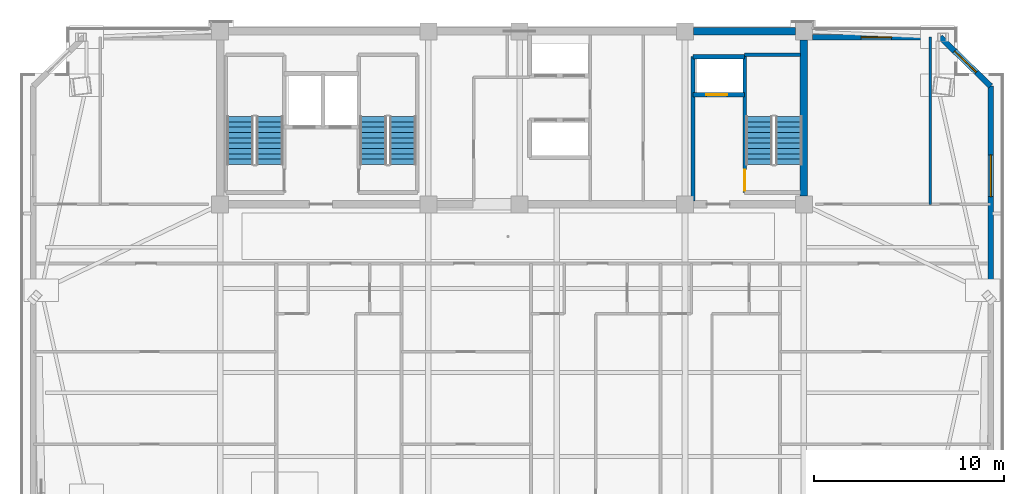
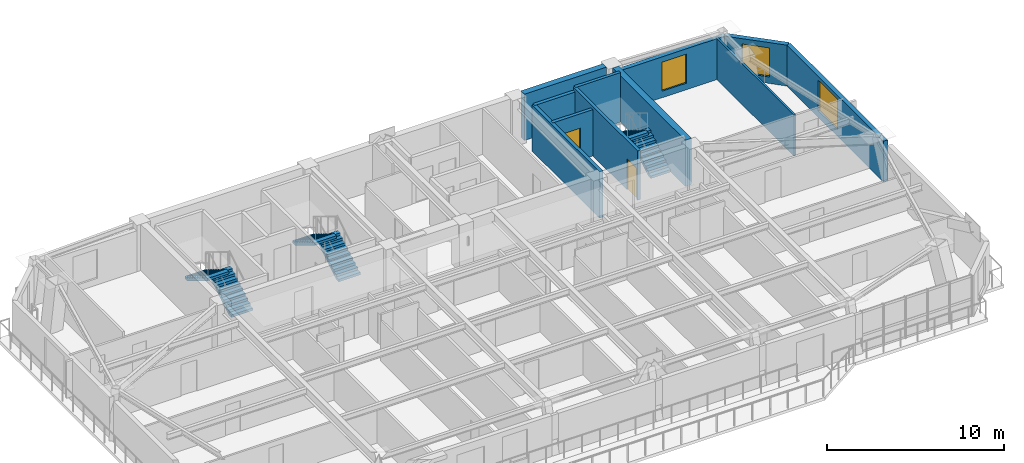
# One storey, part 10 of 15: 11 walls, 6 stair flights, 3 windows, 2 doors, 5 openings, 3 elements without a shape of their own.
"""IFC4 building model written with IfcOpenShell, lengths in metres."""

from ifc_helpers import new_model, si_unit, direction, frame, frame_2d, origin, place, context, subcontext, project, spatial, polyline, rectangle, outline, extrude, source, transform, mapped, material, layer, layer_set, type_object, element, fill, aggregate, save


model = new_model("IFC4")

# Units and contexts
model_context = context("Model", 3, precision=1e-05, world=origin(), true_north=direction((0.0, 1.0)))
body_context = subcontext(model_context, "Body", "Model", "MODEL_VIEW")
ifc_project = project(units=[si_unit("LENGTHUNIT", "METRE"), si_unit("AREAUNIT", "SQUARE_METRE"), si_unit("VOLUMEUNIT", "CUBIC_METRE"), si_unit("PLANEANGLEUNIT", "RADIAN"), si_unit("MASSUNIT", "GRAM", prefix="KILO")], contexts=[model_context])

# Site, building, storey
site_placement = place(None, origin())
site = spatial("IfcSite", under=ifc_project, at=site_placement, CompositionType="ELEMENT")
building_placement = place(site_placement, origin())
building = spatial("IfcBuilding", under=site, at=building_placement, Name="Giltprow Tower", CompositionType="ELEMENT")
storey_placement = place(building_placement, frame((0.0, 0.0, 300.60009765625)))
storey = spatial("IfcBuildingStorey", under=building, at=storey_placement, Name="L77", CompositionType="ELEMENT", Elevation=300.60009765625)

# Wall, opening, window
ifc_material_1 = material(Name="Precast concrete C40", Category="concrete")
ifc_layer_1 = layer(ifc_material_1, 0.300048828125, Name="Precast concrete C40")
ifc_layer_set_1 = layer_set([ifc_layer_1], Name="Precast concrete C40")
wall_type_1 = type_object("IfcWallType", Name="EW-NOTCH-CHAMFER-300", PredefinedType="SOLIDWALL", material=ifc_layer_set_1)
wall_1_placement = place(storey_placement, frame((60.3759765625, 43.6689453125, 0.0), z_axis=(0.0, 0.0, 1.0), x_axis=(-0.717153230711, 0.696915521194, 0.0)))
wall_1 = element("IfcWall", 1, at=wall_1_placement, inside=storey, type_object=wall_type_1, Name="L77 Corner Notch Wall NE", PredefinedType="SOLIDWALL", context=body_context, shape_type="SweptSolid", body=[
    extrude(rectangle(XDim=3.70361328125, YDim=0.300048828125, at=frame_2d((1.851806640625, 0.0))), origin(), (0.0, 0.0, 1.0), 2.81494140625),
])
opening_1_placement = place(wall_1_placement, frame((1.052001953125, 0.0, 0.449951171875)))
opening_1 = element("IfcOpeningElement", 2, at=opening_1_placement, cuts=wall_1, Name="Opening WN17", PredefinedType="OPENING", context=body_context, shape_type="SweptSolid", body=[
    extrude(rectangle(XDim=1.60009765625, YDim=2.0, at=frame_2d((0.800048828125, 1.0))), frame((0.0, 0.159912109375, 0.0), z_axis=(0.0, -1.0, 0.0), x_axis=(1.0, 0.0, 0.0)), (0.0, 0.0, 1.0), 0.320068359375),
])
ifc_material_2 = material(Name="Insulated glass", Category="glass")
window_type_1 = type_object("IfcWindowType", Name="WN-COR-1600x2000", PartitioningType="SINGLE_PANEL", PredefinedType="WINDOW", material=ifc_material_2)
shared_shape_1 = source(origin(), body_context, "Body", "SweptSolid", [
    extrude(rectangle(XDim=1.60009765625, YDim=2.0, at=frame_2d((0.800048828125, 1.0))), frame((0.0, 0.030029296875, 0.0), z_axis=(0.0, -1.0, 0.0), x_axis=(1.0, 0.0, 0.0)), (0.0, 0.0, 1.0), 0.06005859375),
])
window_1_placement = place(opening_1_placement, origin())
window_1 = element("IfcWindow", 3, at=window_1_placement, inside=storey, type_object=window_type_1, Name="L77 Corner Notch Window NE", OverallHeight=2.0, OverallWidth=1.60009765625, PartitioningType="SINGLE_PANEL", PredefinedType="WINDOW", context=body_context, shape_type="MappedRepresentation", body=[
    mapped(shared_shape_1, transform((0.0, 0.0, 0.0), x_axis=(1.0, 0.0, 0.0), y_axis=(0.0, 1.0, 0.0), z_axis=(0.0, 0.0, 1.0), scale=1.0)),
])
fill(opening_1, window_1)

ifc_layer_2 = layer(ifc_material_1, 0.280029296875, Name="Precast concrete C40")
ifc_layer_set_2 = layer_set([ifc_layer_2], Name="Precast concrete C40")
wall_type_2 = type_object("IfcWallType", Name="EW-TOW-BRONZE-280", PredefinedType="SOLIDWALL", material=ifc_layer_set_2)
wall_2_placement = place(storey_placement, frame((60.3759765625, 32.696044921875, 0.0), z_axis=(0.0, 0.0, 1.0), x_axis=(0.0, 1.0, 0.0)))
wall_2 = element("IfcWall", 4, at=wall_2_placement, inside=storey, type_object=wall_type_2, Name="L77 E Wing Masonry Wall 2", PredefinedType="SOLIDWALL", context=body_context, shape_type="SweptSolid", body=[
    extrude(rectangle(XDim=10.972900390625, YDim=0.280029296875, at=frame_2d((5.486328125, 0.0))), origin(), (0.0, 0.0, 1.0), 2.81494140625),
])
opening_2_placement = place(wall_2_placement, frame((5.158935546875, 0.0, 0.449951171875)))
opening_2 = element("IfcOpeningElement", 5, at=opening_2_placement, cuts=wall_2, Name="Opening WN27", PredefinedType="OPENING", context=body_context, shape_type="SweptSolid", body=[
    extrude(rectangle(XDim=2.199951171875, YDim=2.10009765625, at=frame_2d((1.10009765625, 1.050048828125))), frame((0.0, 0.14990234375, 0.0), z_axis=(0.0, -1.0, 0.0), x_axis=(1.0, 0.0, 0.0)), (0.0, 0.0, 1.0), 0.300048828125),
])
window_type_2 = type_object("IfcWindowType", Name="WN-RES-2200x2100", PartitioningType="TRIPLE_PANEL_VERTICAL", PredefinedType="WINDOW", material=ifc_material_2)
shared_shape_2 = source(origin(), body_context, "Body", "SweptSolid", [
    extrude(rectangle(XDim=2.199951171875, YDim=2.10009765625, at=frame_2d((1.10009765625, 1.050048828125))), frame((0.0, 0.030029296875, 0.0), z_axis=(0.0, -1.0, 0.0), x_axis=(1.0, 0.0, 0.0)), (0.0, 0.0, 1.0), 0.06005859375),
])
window_2_placement = place(opening_2_placement, origin())
window_2 = element("IfcWindow", 6, at=window_2_placement, inside=storey, type_object=window_type_2, Name="L77 E Wing Window 2-1", OverallHeight=2.10009765625, OverallWidth=2.199951171875, PartitioningType="SINGLE_PANEL", PredefinedType="WINDOW", context=body_context, shape_type="MappedRepresentation", body=[
    mapped(shared_shape_2, transform((0.0, 0.0, 0.0), x_axis=(1.0, 0.0, 0.0), y_axis=(0.0, 1.0, 0.0), z_axis=(0.0, 0.0, 1.0), scale=1.0)),
])
fill(opening_2, window_2)

wall_3_placement = place(storey_placement, frame((51.0, 46.25, 0.0), z_axis=(0.0, 0.0, 1.0), x_axis=(1.0, 0.0, 0.0)))
wall_3 = element("IfcWall", 7, at=wall_3_placement, inside=storey, type_object=wall_type_2, Name="L77 North-East Wing Wall", PredefinedType="SOLIDWALL", context=body_context, shape_type="SweptSolid", body=[
    extrude(rectangle(XDim=6.719970703125, YDim=0.280029296875, at=frame_2d((3.35986328125, 0.0))), origin(), (0.0, 0.0, 1.0), 2.81494140625),
])
opening_3_placement = place(wall_3_placement, frame((2.56005859375, 0.0, 0.449951171875)))
opening_3 = element("IfcOpeningElement", 8, at=opening_3_placement, cuts=wall_3, Name="Opening WN17", PredefinedType="OPENING", context=body_context, shape_type="SweptSolid", body=[
    extrude(rectangle(XDim=1.60009765625, YDim=2.0, at=frame_2d((0.800048828125, 1.0))), frame((0.0, 0.14990234375, 0.0), z_axis=(0.0, -1.0, 0.0), x_axis=(1.0, 0.0, 0.0)), (0.0, 0.0, 1.0), 0.300048828125),
])
window_3_placement = place(opening_3_placement, origin())
window_3 = element("IfcWindow", 9, at=window_3_placement, inside=storey, type_object=window_type_1, Name="L77 North-East Window", OverallHeight=2.0, OverallWidth=1.60009765625, PartitioningType="SINGLE_PANEL", PredefinedType="WINDOW", context=body_context, shape_type="MappedRepresentation", body=[
    mapped(shared_shape_1, transform((0.0, 0.0, 0.0), x_axis=(1.0, 0.0, 0.0), y_axis=(0.0, 1.0, 0.0), z_axis=(0.0, 0.0, 1.0), scale=1.0)),
])
fill(opening_3, window_3)

# Wall, opening, door
ifc_material_3 = material(Name="Concrete C40", Category="concrete")
ifc_layer_3 = layer(ifc_material_3, 0.219970703125, Name="Concrete C40")
ifc_layer_set_3 = layer_set([ifc_layer_3], Name="Concrete C40")
wall_type_3 = type_object("IfcWallType", Name="IW-SHAFT-220", PredefinedType="SOLIDWALL", material=ifc_layer_set_3)
wall_4_placement = place(storey_placement, frame((44.719970703125, 43.219970703125, 0.0), z_axis=(0.0, 0.0, 1.0), x_axis=(1.0, 0.0, 0.0)))
wall_4 = element("IfcWall", 10, at=wall_4_placement, inside=storey, type_object=wall_type_3, Name="L77 FFL2 Front Shaft Wall", PredefinedType="SOLIDWALL", context=body_context, shape_type="SweptSolid", body=[
    extrude(rectangle(XDim=2.719970703125, YDim=0.219970703125, at=frame_2d((1.35986328125, 0.0))), origin(), (0.0, 0.0, 1.0), 3.184814453125),
])
opening_4_placement = place(wall_4_placement, frame((0.699951171875, 0.0, 0.0)))
opening_4 = element("IfcOpeningElement", 11, at=opening_4_placement, cuts=wall_4, Name="Opening LD-11", PredefinedType="OPENING", context=body_context, shape_type="SweptSolid", body=[
    extrude(rectangle(XDim=1.10009765625, YDim=2.199951171875, at=frame_2d((0.550048828125, 1.10009765625))), frame((0.0, 0.119873046875, 0.0), z_axis=(0.0, -1.0, 0.0), x_axis=(1.0, 0.0, 0.0)), (0.0, 0.0, 1.0), 0.239990234375),
])
ifc_material_4 = material(Name="Stainless steel", Category="steel")
door_type_1 = type_object("IfcDoorType", Name="DR-LIFT-LD1100", OperationType="SLIDING_TO_LEFT", PredefinedType="DOOR", material=ifc_material_4)
shared_shape_3 = source(origin(), body_context, "Body", "SweptSolid", [
    extrude(rectangle(XDim=1.10009765625, YDim=2.199951171875, at=frame_2d((0.550048828125, 1.10009765625))), frame((0.0, 0.02490234375, 0.0), z_axis=(0.0, -1.0, 0.0), x_axis=(1.0, 0.0, 0.0)), (0.0, 0.0, 1.0), 0.050048828125),
])
door_1_placement = place(opening_4_placement, origin())
door_1 = element("IfcDoor", 12, at=door_1_placement, inside=storey, type_object=door_type_1, Name="L77 FFL2 Landing Door", OperationType="SLIDING_TO_LEFT", OverallHeight=2.199951171875, OverallWidth=1.10009765625, PredefinedType="DOOR", context=body_context, shape_type="MappedRepresentation", body=[
    mapped(shared_shape_3, transform((0.0, 0.0, 0.0), x_axis=(1.0, 0.0, 0.0), y_axis=(0.0, 1.0, 0.0), z_axis=(0.0, 0.0, 1.0), scale=1.0)),
])
fill(opening_4, door_1)

# Walls
wall_5_placement = place(storey_placement, frame((44.719970703125, 45.219970703125, 0.0), z_axis=(0.0, 0.0, 1.0), x_axis=(1.0, 0.0, 0.0)))
element("IfcWall", 13, at=wall_5_placement, inside=storey, type_object=wall_type_3, Name="L77 FFL2 Back Shaft Wall", PredefinedType="SOLIDWALL", context=body_context, shape_type="SweptSolid", body=[
    extrude(rectangle(XDim=2.719970703125, YDim=0.219970703125, at=frame_2d((1.35986328125, 0.0))), origin(), (0.0, 0.0, 1.0), 3.184814453125),
])
wall_6_placement = place(storey_placement, frame((44.719970703125, 37.6298828125, 0.0), z_axis=(0.0, 0.0, 1.0), x_axis=(0.0, 1.0, 0.0)))
element("IfcWall", 14, at=wall_6_placement, inside=storey, type_object=wall_type_3, Name="L77 East Firefighting Lobby West Wall", PredefinedType="SOLIDWALL", context=body_context, shape_type="SweptSolid", body=[
    extrude(rectangle(XDim=7.590087890625, YDim=0.219970703125, at=frame_2d((3.794921875, 0.0))), origin(), (0.0, 0.0, 1.0), 3.184814453125),
])

# Wall, opening, door
ifc_layer_4 = layer(ifc_material_3, 0.199951171875, Name="Concrete C40")
ifc_layer_set_4 = layer_set([ifc_layer_4], Name="Concrete C40")
wall_type_4 = type_object("IfcWallType", Name="IW-STAIR-200", PredefinedType="SOLIDWALL", material=ifc_layer_set_4)
wall_7_placement = place(storey_placement, frame((47.43994140625, 38.070068359375, 0.0), z_axis=(0.0, 0.0, 1.0), x_axis=(0.0, 1.0, 0.0)))
wall_7 = element("IfcWall", 15, at=wall_7_placement, inside=storey, type_object=wall_type_4, Name="L77 Stair ST-3 West Bearing Wall", PredefinedType="SOLIDWALL", context=body_context, shape_type="SweptSolid", body=[
    extrude(rectangle(XDim=7.25, YDim=0.199951171875, at=frame_2d((3.625, 0.0))), origin(), (0.0, 0.0, 1.0), 3.39990234375),
])
opening_5_placement = place(wall_7_placement, frame((0.110107421875, 0.0, 0.0)))
opening_5 = element("IfcOpeningElement", 16, at=opening_5_placement, cuts=wall_7, Name="Opening ID33", PredefinedType="OPENING", context=body_context, shape_type="SweptSolid", body=[
    extrude(rectangle(XDim=1.10009765625, YDim=2.14990234375, at=frame_2d((0.550048828125, 1.074951171875))), frame((0.0, 0.10986328125, 0.0), z_axis=(0.0, -1.0, 0.0), x_axis=(1.0, 0.0, 0.0)), (0.0, 0.0, 1.0), 0.219970703125),
])
ifc_material_5 = material(Name="Steel fire leaf", Category="steel")
door_type_2 = type_object("IfcDoorType", Name="DR-STAIR-1100", OperationType="SINGLE_SWING_LEFT", PredefinedType="DOOR", material=ifc_material_5)
shared_shape_4 = source(origin(), body_context, "Body", "SweptSolid", [
    extrude(rectangle(XDim=1.10009765625, YDim=2.14990234375, at=frame_2d((0.550048828125, 1.074951171875))), frame((0.0, 0.02490234375, 0.0), z_axis=(0.0, -1.0, 0.0), x_axis=(1.0, 0.0, 0.0)), (0.0, 0.0, 1.0), 0.050048828125),
])
door_2_placement = place(opening_5_placement, origin())
door_2 = element("IfcDoor", 17, at=door_2_placement, inside=storey, type_object=door_type_2, Name="L77 Stair ST-3 Fire Door", OperationType="SINGLE_SWING_LEFT", OverallHeight=2.14990234375, OverallWidth=1.10009765625, PredefinedType="DOOR", context=body_context, shape_type="MappedRepresentation", body=[
    mapped(shared_shape_4, transform((0.0, 0.0, 0.0), x_axis=(1.0, 0.0, 0.0), y_axis=(0.0, 1.0, 0.0), z_axis=(0.0, 0.0, 1.0), scale=1.0)),
])
fill(opening_5, door_2)

# Walls
wall_8_placement = place(storey_placement, frame((47.43994140625, 45.320068359375, 0.0), z_axis=(0.0, 0.0, 1.0), x_axis=(1.0, 0.0, 0.0)))
element("IfcWall", 18, at=wall_8_placement, inside=storey, type_object=wall_type_4, Name="L77 Stair ST-3 North Bearing Wall", PredefinedType="SOLIDWALL", context=body_context, shape_type="SweptSolid", body=[
    extrude(rectangle(XDim=2.93017578125, YDim=0.199951171875, at=frame_2d((1.465087890625, 0.0))), origin(), (0.0, 0.0, 1.0), 3.39990234375),
])
ifc_material_6 = material(Name="Concrete C30", Category="concrete")
ifc_layer_5 = layer(ifc_material_6, 0.1298828125, Name="Concrete C30")
ifc_layer_set_5 = layer_set([ifc_layer_5], Name="Concrete C30")
wall_type_5 = type_object("IfcWallType", Name="IW-WET-130", PredefinedType="PARTITIONING", material=ifc_layer_set_5)
wall_9_placement = place(storey_placement, frame((57.20703125, 37.449951171875, 0.0), z_axis=(0.0, 0.0, 1.0), x_axis=(0.0, 1.0, 0.0)))
element("IfcWall", 19, at=wall_9_placement, inside=storey, type_object=wall_type_5, Name="L77 NE Wing Divider", PredefinedType="PARTITIONING", context=body_context, shape_type="SweptSolid", body=[
    extrude(rectangle(XDim=8.800048828125, YDim=0.1298828125, at=frame_2d((4.39990234375, 0.0))), origin(), (0.0, 0.0, 1.0), 2.81982421875),
])
ifc_material_7 = material(Name="Concrete C45", Category="concrete")
ifc_layer_6 = layer(ifc_material_7, 0.39990234375, Name="Concrete C45")
ifc_layer_set_6 = layer_set([ifc_layer_6], Name="Concrete C45")
wall_type_6 = type_object("IfcWallType", Name="SW-EXT-400-C45", PredefinedType="SHEAR", material=ifc_layer_set_6)
wall_10_placement = place(storey_placement, frame((44.75, 46.550048828125, 0.0), z_axis=(0.0, 0.0, 1.0), x_axis=(1.0, 0.0, 0.0)))
element("IfcWall", 20, at=wall_10_placement, inside=storey, type_object=wall_type_6, Name="L77 North Rear Core Shear Wall 4", PredefinedType="SHEAR", context=body_context, shape_type="SweptSolid", body=[
    extrude(rectangle(XDim=5.35009765625, YDim=0.39990234375, at=frame_2d((2.675048828125, 0.0))), origin(), (0.0, 0.0, 1.0), 3.184814453125),
])
ifc_layer_7 = layer(ifc_material_7, 0.39990234375, Name="Concrete C45")
ifc_layer_set_7 = layer_set([ifc_layer_7], Name="Concrete C45")
wall_type_7 = type_object("IfcWallType", Name="SW-INT-400-C45", PredefinedType="SHEAR", material=ifc_layer_set_7)
wall_11_placement = place(storey_placement, frame((50.550048828125, 37.89990234375, 0.0), z_axis=(0.0, 0.0, 1.0), x_axis=(0.0, 1.0, 0.0)))
element("IfcWall", 21, at=wall_11_placement, inside=storey, type_object=wall_type_7, Name="L77 E Rear Core Shear Wall", PredefinedType="SHEAR", context=body_context, shape_type="SweptSolid", body=[
    extrude(rectangle(XDim=8.2001953125, YDim=0.39990234375, at=frame_2d((4.10009765625, 0.0))), origin(), (0.0, 0.0, 1.0), 3.184814453125),
])

# Stair, stair flights
stair_type_1 = type_object("IfcStairType", Name="STR-ST-1", PredefinedType="HALF_TURN_STAIR", material=ifc_material_3)
stair_1_placement = place(storey_placement, origin())
stair_1 = element("IfcStair", 22, at=stair_1_placement, inside=storey, type_object=stair_type_1, Name="L77 Core Exit Stair ST-1", PredefinedType="HALF_TURN_STAIR")
stair_flight_type_1 = type_object("IfcStairFlightType", Name="SFL-ST-1", PredefinedType="STRAIGHT", material=ifc_material_3)
stair_flight_1_placement = place(storey_placement, frame((22.4599609375, 39.550048828125, 0.0), z_axis=(0.0, 0.0, 1.0), x_axis=(0.0, 1.0, 0.0)))
stair_flight_1 = element("IfcStairFlight", 23, at=stair_flight_1_placement, type_object=stair_flight_type_1, Name="ST-1 flight 1", NumberOfRisers=10, NumberOfTreads=9, PredefinedType="STRAIGHT", RiserHeight=0.17, TreadLength=0.28, context=body_context, shape_type="SweptSolid", body=[
    extrude(outline(polyline([(0.0, 0.0), (0.0, 0.169921875), (0.280029296875, 0.169921875), (0.280029296875, 0.340087890625), (0.56005859375, 0.340087890625), (0.56005859375, 0.510009765625), (0.840087890625, 0.510009765625), (0.840087890625, 0.679931640625), (1.1201171875, 0.679931640625), (1.1201171875, 0.85009765625), (1.39990234375, 0.85009765625), (1.39990234375, 1.02001953125), (1.679931640625, 1.02001953125), (1.679931640625, 1.18994140625), (1.9599609375, 1.18994140625), (1.9599609375, 1.360107421875), (2.239990234375, 1.360107421875), (2.239990234375, 1.530029296875), (2.52001953125, 1.530029296875), (2.52001953125, 1.699951171875), (2.52001953125, 1.354736328125), (0.288818359375, 0.0), (0.0, 0.0)])), frame((0.0, 0.699951171875, 0.0), z_axis=(0.0, -1.0, 0.0), x_axis=(1.0, 0.0, 0.0)), (0.0, 0.0, 1.0), 1.39990234375),
])
stair_flight_2_placement = place(storey_placement, frame((20.89990234375, 42.070068359375, 1.699951171875), z_axis=(0.0, 0.0, 1.0), x_axis=(0.0, -1.0, 0.0)))
stair_flight_2 = element("IfcStairFlight", 24, at=stair_flight_2_placement, type_object=stair_flight_type_1, Name="ST-1 flight 2", NumberOfRisers=10, NumberOfTreads=9, PredefinedType="STRAIGHT", RiserHeight=0.17, TreadLength=0.28, context=body_context, shape_type="SweptSolid", body=[
    extrude(outline(polyline([(0.0, 0.0), (0.0, 0.169921875), (0.280029296875, 0.169921875), (0.280029296875, 0.340087890625), (0.56005859375, 0.340087890625), (0.56005859375, 0.510009765625), (0.840087890625, 0.510009765625), (0.840087890625, 0.679931640625), (1.1201171875, 0.679931640625), (1.1201171875, 0.85009765625), (1.39990234375, 0.85009765625), (1.39990234375, 1.02001953125), (1.679931640625, 1.02001953125), (1.679931640625, 1.18994140625), (1.9599609375, 1.18994140625), (1.9599609375, 1.360107421875), (2.239990234375, 1.360107421875), (2.239990234375, 1.530029296875), (2.52001953125, 1.530029296875), (2.52001953125, 1.699951171875), (2.52001953125, 1.354736328125), (0.288818359375, 0.0), (0.0, 0.0)])), frame((0.0, 0.699951171875, 0.0), z_axis=(0.0, -1.0, 0.0), x_axis=(1.0, 0.0, 0.0)), (0.0, 0.0, 1.0), 1.39990234375),
])
aggregate(stair_1, [stair_flight_1, stair_flight_2])

stair_type_2 = type_object("IfcStairType", Name="STR-ST-2", PredefinedType="HALF_TURN_STAIR", material=ifc_material_3)
stair_2_placement = place(storey_placement, origin())
stair_2 = element("IfcStair", 25, at=stair_2_placement, inside=storey, type_object=stair_type_2, Name="L77 Core Exit Stair ST-2", PredefinedType="HALF_TURN_STAIR")
stair_flight_type_2 = type_object("IfcStairFlightType", Name="SFL-ST-2", PredefinedType="STRAIGHT", material=ifc_material_3)
stair_flight_3_placement = place(storey_placement, frame((29.4599609375, 39.550048828125, 0.0), z_axis=(0.0, 0.0, 1.0), x_axis=(0.0, 1.0, 0.0)))
stair_flight_3 = element("IfcStairFlight", 26, at=stair_flight_3_placement, type_object=stair_flight_type_2, Name="ST-2 flight 1", NumberOfRisers=10, NumberOfTreads=9, PredefinedType="STRAIGHT", RiserHeight=0.17, TreadLength=0.28, context=body_context, shape_type="SweptSolid", body=[
    extrude(outline(polyline([(0.0, 0.0), (0.0, 0.169921875), (0.280029296875, 0.169921875), (0.280029296875, 0.340087890625), (0.56005859375, 0.340087890625), (0.56005859375, 0.510009765625), (0.840087890625, 0.510009765625), (0.840087890625, 0.679931640625), (1.1201171875, 0.679931640625), (1.1201171875, 0.85009765625), (1.39990234375, 0.85009765625), (1.39990234375, 1.02001953125), (1.679931640625, 1.02001953125), (1.679931640625, 1.18994140625), (1.9599609375, 1.18994140625), (1.9599609375, 1.360107421875), (2.239990234375, 1.360107421875), (2.239990234375, 1.530029296875), (2.52001953125, 1.530029296875), (2.52001953125, 1.699951171875), (2.52001953125, 1.354736328125), (0.288818359375, 0.0), (0.0, 0.0)])), frame((0.0, 0.699951171875, 0.0), z_axis=(0.0, -1.0, 0.0), x_axis=(1.0, 0.0, 0.0)), (0.0, 0.0, 1.0), 1.39990234375),
])
stair_flight_4_placement = place(storey_placement, frame((27.89990234375, 42.070068359375, 1.699951171875), z_axis=(0.0, 0.0, 1.0), x_axis=(0.0, -1.0, 0.0)))
stair_flight_4 = element("IfcStairFlight", 27, at=stair_flight_4_placement, type_object=stair_flight_type_2, Name="ST-2 flight 2", NumberOfRisers=10, NumberOfTreads=9, PredefinedType="STRAIGHT", RiserHeight=0.17, TreadLength=0.28, context=body_context, shape_type="SweptSolid", body=[
    extrude(outline(polyline([(0.0, 0.0), (0.0, 0.169921875), (0.280029296875, 0.169921875), (0.280029296875, 0.340087890625), (0.56005859375, 0.340087890625), (0.56005859375, 0.510009765625), (0.840087890625, 0.510009765625), (0.840087890625, 0.679931640625), (1.1201171875, 0.679931640625), (1.1201171875, 0.85009765625), (1.39990234375, 0.85009765625), (1.39990234375, 1.02001953125), (1.679931640625, 1.02001953125), (1.679931640625, 1.18994140625), (1.9599609375, 1.18994140625), (1.9599609375, 1.360107421875), (2.239990234375, 1.360107421875), (2.239990234375, 1.530029296875), (2.52001953125, 1.530029296875), (2.52001953125, 1.699951171875), (2.52001953125, 1.354736328125), (0.288818359375, 0.0), (0.0, 0.0)])), frame((0.0, 0.699951171875, 0.0), z_axis=(0.0, -1.0, 0.0), x_axis=(1.0, 0.0, 0.0)), (0.0, 0.0, 1.0), 1.39990234375),
])
aggregate(stair_2, [stair_flight_3, stair_flight_4])

stair_type_3 = type_object("IfcStairType", Name="STR-ST-3", PredefinedType="HALF_TURN_STAIR", material=ifc_material_3)
stair_3_placement = place(storey_placement, origin())
stair_3 = element("IfcStair", 28, at=stair_3_placement, inside=storey, type_object=stair_type_3, Name="L77 Core Exit Stair ST-3", PredefinedType="HALF_TURN_STAIR")
stair_flight_type_3 = type_object("IfcStairFlightType", Name="SFL-ST-3", PredefinedType="STRAIGHT", material=ifc_material_3)
stair_flight_5_placement = place(storey_placement, frame((49.760009765625, 39.550048828125, 0.0), z_axis=(0.0, 0.0, 1.0), x_axis=(0.0, 1.0, 0.0)))
stair_flight_5 = element("IfcStairFlight", 29, at=stair_flight_5_placement, type_object=stair_flight_type_3, Name="ST-3 flight 1", NumberOfRisers=10, NumberOfTreads=9, PredefinedType="STRAIGHT", RiserHeight=0.17, TreadLength=0.28, context=body_context, shape_type="SweptSolid", body=[
    extrude(outline(polyline([(0.0, 0.0), (0.0, 0.169921875), (0.280029296875, 0.169921875), (0.280029296875, 0.340087890625), (0.56005859375, 0.340087890625), (0.56005859375, 0.510009765625), (0.840087890625, 0.510009765625), (0.840087890625, 0.679931640625), (1.1201171875, 0.679931640625), (1.1201171875, 0.85009765625), (1.39990234375, 0.85009765625), (1.39990234375, 1.02001953125), (1.679931640625, 1.02001953125), (1.679931640625, 1.18994140625), (1.9599609375, 1.18994140625), (1.9599609375, 1.360107421875), (2.239990234375, 1.360107421875), (2.239990234375, 1.530029296875), (2.52001953125, 1.530029296875), (2.52001953125, 1.699951171875), (2.52001953125, 1.354736328125), (0.288818359375, 0.0), (0.0, 0.0)])), frame((0.0, 0.699951171875, 0.0), z_axis=(0.0, -1.0, 0.0), x_axis=(1.0, 0.0, 0.0)), (0.0, 0.0, 1.0), 1.39990234375),
])
stair_flight_6_placement = place(storey_placement, frame((48.199951171875, 42.070068359375, 1.699951171875), z_axis=(0.0, 0.0, 1.0), x_axis=(0.0, -1.0, 0.0)))
stair_flight_6 = element("IfcStairFlight", 30, at=stair_flight_6_placement, type_object=stair_flight_type_3, Name="ST-3 flight 2", NumberOfRisers=10, NumberOfTreads=9, PredefinedType="STRAIGHT", RiserHeight=0.17, TreadLength=0.28, context=body_context, shape_type="SweptSolid", body=[
    extrude(outline(polyline([(0.0, 0.0), (0.0, 0.169921875), (0.280029296875, 0.169921875), (0.280029296875, 0.340087890625), (0.56005859375, 0.340087890625), (0.56005859375, 0.510009765625), (0.840087890625, 0.510009765625), (0.840087890625, 0.679931640625), (1.1201171875, 0.679931640625), (1.1201171875, 0.85009765625), (1.39990234375, 0.85009765625), (1.39990234375, 1.02001953125), (1.679931640625, 1.02001953125), (1.679931640625, 1.18994140625), (1.9599609375, 1.18994140625), (1.9599609375, 1.360107421875), (2.239990234375, 1.360107421875), (2.239990234375, 1.530029296875), (2.52001953125, 1.530029296875), (2.52001953125, 1.699951171875), (2.52001953125, 1.354736328125), (0.288818359375, 0.0), (0.0, 0.0)])), frame((0.0, 0.699951171875, 0.0), z_axis=(0.0, -1.0, 0.0), x_axis=(1.0, 0.0, 0.0)), (0.0, 0.0, 1.0), 1.39990234375),
])
aggregate(stair_3, [stair_flight_5, stair_flight_6])

save(model, "model.ifc")
